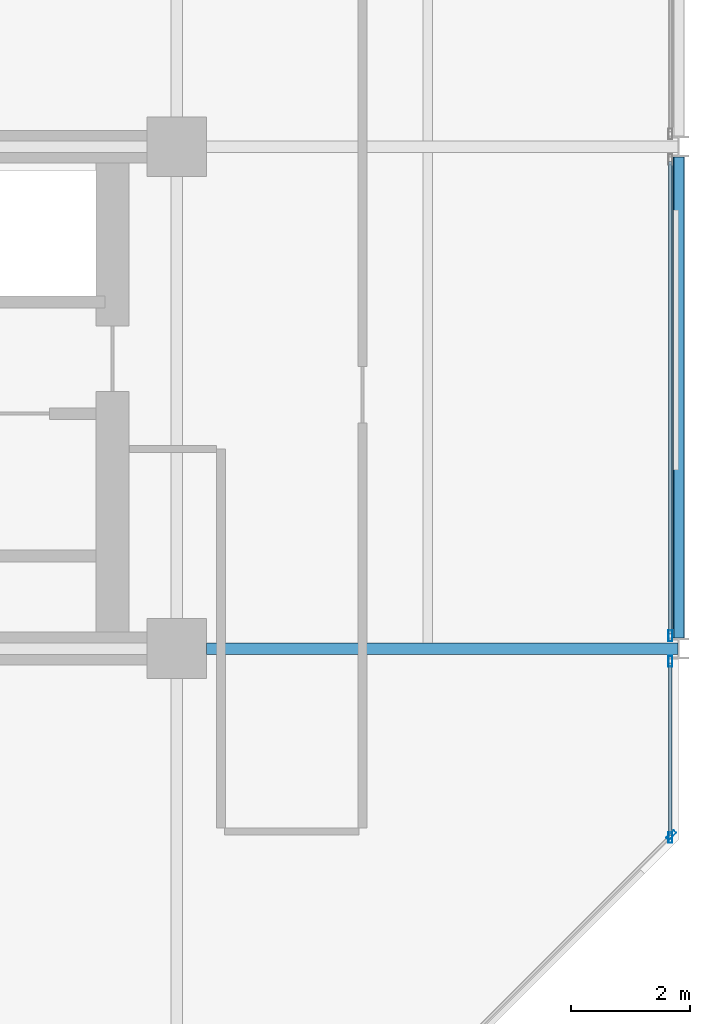
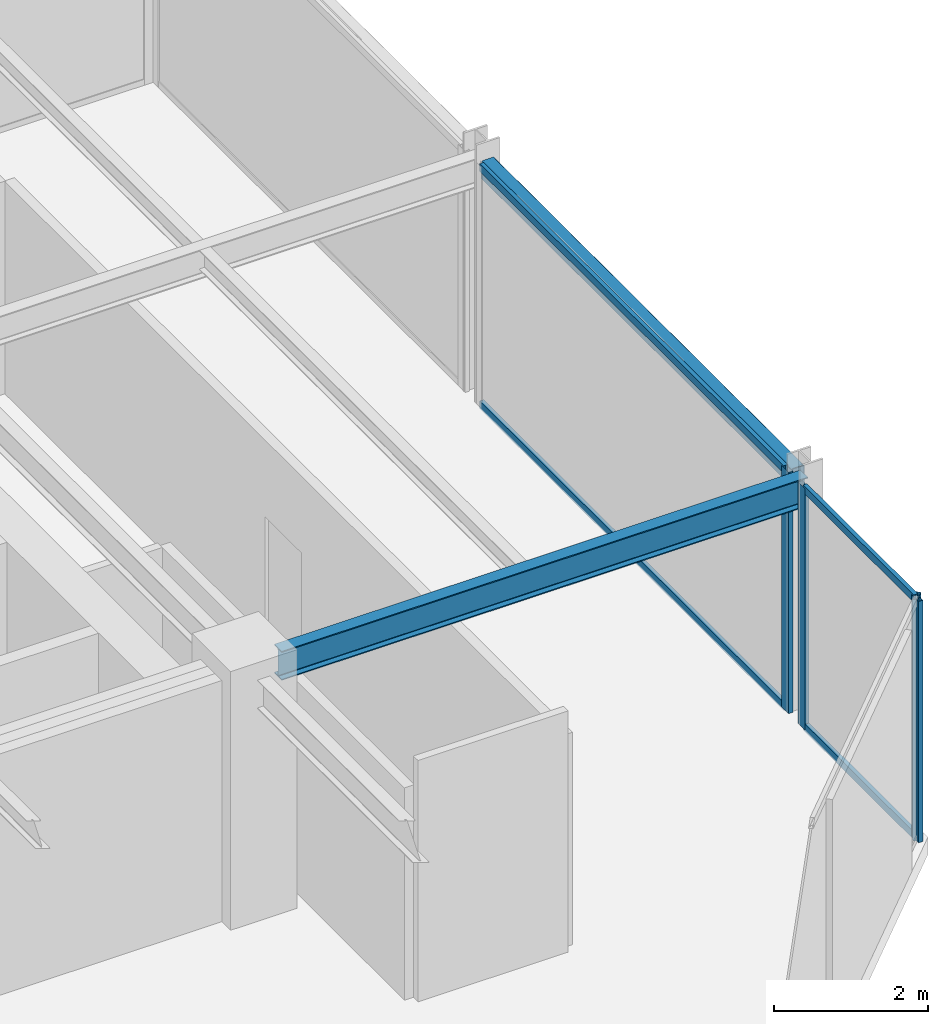
# One storey, part 13 of 29: 8 members, 2 beams, 3 elements without a shape of their own.
"""IFC4 building model written with IfcOpenShell, lengths in metres."""

import ifcopenshell
import ifcopenshell.guid

model = None  # the IFC model being written
_history = None  # IfcOwnerHistory: only IFC2X3 demands one
_inside = {}  # id of a spatial element -> (the spatial element, [elements in it])
_under = {}  # id of a project, library or spatial element -> (it, [spatial elements below it])
_declared = {}  # id of a project -> (the project, [libraries it declares])
_typed = {}  # id of a type object -> (the type object, [elements of that type])
_made_of = {}  # id of a material, layer set ... -> (it, [elements and type objects made of it])


def new_model(schema):
    """Start an empty IFC model of exactly this schema.

    Asked for "IFC4X3", IfcOpenShell would pick the latest addendum, in which some entities
    have other attributes; the version numbers below select the first issue.
    IFC2X3 requires an IfcOwnerHistory on every rooted entity: one is made here for all.
    """
    global model, _history
    if schema == "IFC4X3":
        model = ifcopenshell.file(schema_version=(4, 3, 0, 0))
    else:
        model = ifcopenshell.file(schema=schema)
    _inside.clear()
    _under.clear()
    _declared.clear()
    _typed.clear()
    _made_of.clear()
    _history = None
    if model.schema == "IFC2X3":
        org = make("IfcOrganization", Name="unknown")
        user = make(
            "IfcPersonAndOrganization",
            ThePerson=make("IfcPerson", FamilyName="unknown"),
            TheOrganization=org,
        )
        app = make(
            "IfcApplication",
            ApplicationDeveloper=org,
            Version="unknown",
            ApplicationFullName="unknown",
            ApplicationIdentifier="unknown",
        )
        _history = make(
            "IfcOwnerHistory",
            OwningUser=user,
            OwningApplication=app,
            ChangeAction="ADDED",
            CreationDate=0,
        )
    return model


def make(cls, **values):
    """One entity of the class cls with the attributes given. An attribute that is None is left unset."""
    return model.create_entity(
        cls, **{name: value for name, value in values.items() if value is not None}
    )


def rooted(cls, **values):
    """An entity with a GlobalId (a new one), such as an element, a storey or a relation."""
    return make(cls, GlobalId=ifcopenshell.guid.new(), OwnerHistory=_history, **values)


def si_unit(unit_type, name, prefix=None):
    """IfcSIUnit, for example si_unit("LENGTHUNIT", "METRE", prefix="MILLI")."""
    return make("IfcSIUnit", UnitType=unit_type, Prefix=prefix, Name=name)


def assignment(units):
    """IfcUnitAssignment: the units of a project."""
    return None if units is None else make("IfcUnitAssignment", Units=units)


def point(xyz):
    """IfcCartesianPoint."""
    return None if xyz is None else make("IfcCartesianPoint", Coordinates=xyz)


def direction(xyz):
    """IfcDirection."""
    return None if xyz is None else make("IfcDirection", DirectionRatios=xyz)


def frame(location, z_axis=None, x_axis=None):
    """IfcAxis2Placement3D, a coordinate frame: its origin and axes. An axis left out is left unset."""
    return make(
        "IfcAxis2Placement3D",
        Location=point(location),
        Axis=direction(z_axis),
        RefDirection=direction(x_axis),
    )


def frame_2d(location, x_axis=None):
    """IfcAxis2Placement2D, a coordinate frame in the plane: its origin and x axis."""
    return make(
        "IfcAxis2Placement2D", Location=point(location), RefDirection=direction(x_axis)
    )


def origin():
    """The frame at (0, 0, 0) with its axes left unset."""
    return frame((0.0, 0.0, 0.0))


def origin_2d():
    """The frame at (0, 0) in the plane with its x axis left unset."""
    return frame_2d((0.0, 0.0))


def place(relative_to, where):
    """IfcLocalPlacement: puts the frame where relative to a parent placement (None: the world)."""
    return make(
        "IfcLocalPlacement", PlacementRelTo=relative_to, RelativePlacement=where
    )


def context(
    kind, dimensions, precision=None, world=None, true_north=None, identifier=None
):
    """IfcGeometricRepresentationContext, for example the 3D "Model" context."""
    return make(
        "IfcGeometricRepresentationContext",
        ContextIdentifier=identifier,
        ContextType=kind,
        CoordinateSpaceDimension=dimensions,
        Precision=precision,
        WorldCoordinateSystem=world,
        TrueNorth=true_north,
    )


def subcontext(parent, identifier, kind, view, scale=None):
    """IfcGeometricRepresentationSubContext, for example "Body" below "Model"."""
    return make(
        "IfcGeometricRepresentationSubContext",
        ContextIdentifier=identifier,
        ContextType=kind,
        ParentContext=parent,
        TargetScale=scale,
        TargetView=view,
    )


def project(units=None, contexts=None):
    """IfcProject with its units and contexts."""
    return rooted(
        "IfcProject",
        Name="project",
        RepresentationContexts=contexts,
        UnitsInContext=assignment(units),
    )


def spatial(cls, under=None, at=None, **own):
    """A site, building, storey or space (cls), placed at a placement, below another one or the project."""
    s = rooted(cls, ObjectPlacement=at, **own)
    if under is not None:
        _under.setdefault(under.id(), (under, []))[1].append(s)
    return s


def profile(cls, at=None, kind="AREA", **sizes):
    """A parametric profile (cls). Its sizes go by their IFC names, for example OverallWidth=200.0."""
    return make(cls, ProfileType=kind, Position=at, **sizes)


def hollow_rectangle(**sizes):
    """IfcRectangleHollowProfileDef."""
    return profile("IfcRectangleHollowProfileDef", **sizes)


def i_section(**sizes):
    """IfcIShapeProfileDef."""
    return profile("IfcIShapeProfileDef", **sizes)


def extrude(swept, where, along, depth):
    """IfcExtrudedAreaSolid: the profile swept, set in the frame where, extruded along a direction by depth."""
    return make(
        "IfcExtrudedAreaSolid",
        SweptArea=swept,
        Position=where,
        ExtrudedDirection=direction(along),
        Depth=depth,
    )


def shape(context_of_items, identifier, shape_type, items):
    """IfcShapeRepresentation: the items that make up one representation, for example the "Body"."""
    return make(
        "IfcShapeRepresentation",
        ContextOfItems=context_of_items,
        RepresentationIdentifier=identifier,
        RepresentationType=shape_type,
        Items=items,
    )


def material(Name=None, Category=None):
    """IfcMaterial."""
    return make("IfcMaterial", Name=Name, Category=Category)


def layer(
    of_material, thickness, ventilated=None, Name=None, Category=None, Priority=None
):
    """IfcMaterialLayer: one layer of a wall or slab, of a material (None: an air gap)."""
    return make(
        "IfcMaterialLayer",
        Material=of_material,
        LayerThickness=thickness,
        IsVentilated=ventilated,
        Name=Name,
        Category=Category,
        Priority=Priority,
    )


def layer_set(layers, Name=None):
    """IfcMaterialLayerSet."""
    return make("IfcMaterialLayerSet", MaterialLayers=layers, LayerSetName=Name)


def material_profile(
    of_material, cross_section, Name=None, Category=None, Priority=None
):
    """IfcMaterialProfile: a cross section and its material."""
    return make(
        "IfcMaterialProfile",
        Name=Name,
        Material=of_material,
        Profile=cross_section,
        Priority=Priority,
        Category=Category,
    )


def profile_set(profiles, Name=None, composite=None):
    """IfcMaterialProfileSet."""
    return make(
        "IfcMaterialProfileSet",
        Name=Name,
        MaterialProfiles=profiles,
        CompositeProfile=composite,
    )


def made_of(thing, what):
    """Note that an element or type object is made of a material, layer set ...; save() writes the relation."""
    if what is not None:
        _made_of.setdefault(what.id(), (what, []))[1].append(thing)
    return thing


def type_object(cls, material=None, **own):
    """A type object (cls), such as IfcWallType, which elements share."""
    return made_of(rooted(cls, **own), material)


def element(
    cls,
    number,
    at=None,
    inside=None,
    cuts=None,
    type_object=None,
    material=None,
    context=None,
    identifier="Body",
    shape_type=None,
    held_by="IfcProductDefinitionShape",
    body=None,
    shapes=None,
    **own,
):
    """One element of the class cls, such as IfcWall. Its Tag is "e" and its number.

    at: its placement. inside: the storey or other place that contains it. cuts: it is an
    opening in that element (IfcRelVoidsElement). A single representation is given by context,
    identifier, shape_type and body (its items); several are given by shapes. held_by: the class
    of the entity that holds the representations. save() writes the other relations.
    """
    e = rooted(cls, Tag="e%d" % number, ObjectPlacement=at, **own)
    if body is not None:
        shapes = [shape(context, identifier, shape_type, body)]
    if shapes is not None:
        e.Representation = make(held_by, Representations=shapes)
    if inside is not None:
        _inside.setdefault(inside.id(), (inside, []))[1].append(e)
    if cuts is not None:
        rooted(
            "IfcRelVoidsElement", RelatingBuildingElement=cuts, RelatedOpeningElement=e
        )
    if type_object is not None:
        _typed.setdefault(type_object.id(), (type_object, []))[1].append(e)
    return made_of(e, material)


def aggregate(whole, parts):
    """IfcRelAggregates: a whole, such as a stair, and the parts it consists of."""
    return rooted("IfcRelAggregates", RelatingObject=whole, RelatedObjects=parts)


def save(model, path):
    """Write the relations noted so far, then the file.

    IfcRelAggregates (storeys below a building ...), IfcRelContainedInSpatialStructure (elements
    in a storey), IfcRelDefinesByType, IfcRelAssociatesMaterial and IfcRelDeclares: one each for
    every whole, place, type object, material and project.
    """
    for whole, parts in _under.values():
        aggregate(whole, parts)
    for where, things in _inside.values():
        rooted(
            "IfcRelContainedInSpatialStructure",
            RelatedElements=things,
            RelatingStructure=where,
        )
    for kind, things in _typed.values():
        rooted("IfcRelDefinesByType", RelatedObjects=things, RelatingType=kind)
    for what, things in _made_of.values():
        rooted("IfcRelAssociatesMaterial", RelatedObjects=things, RelatingMaterial=what)
    for by, libraries in _declared.values():
        rooted("IfcRelDeclares", RelatingContext=by, RelatedDefinitions=libraries)
    model.write(path)


model = new_model("IFC4")

# Units and contexts
model_context = context("Model", 3, precision=1e-05, world=origin(), true_north=direction((0.0, 1.0)))
body_context = subcontext(model_context, "Body", "Model", "MODEL_VIEW")
ifc_project = project(units=[si_unit("LENGTHUNIT", "METRE"), si_unit("AREAUNIT", "SQUARE_METRE"), si_unit("VOLUMEUNIT", "CUBIC_METRE"), si_unit("PLANEANGLEUNIT", "RADIAN"), si_unit("MASSUNIT", "GRAM", prefix="KILO")], contexts=[model_context])

# Site, building, storey
site_placement = place(None, origin())
site = spatial("IfcSite", under=ifc_project, at=site_placement, CompositionType="ELEMENT")
building_placement = place(site_placement, origin())
building = spatial("IfcBuilding", under=site, at=building_placement, Name="Nerrivon Quay Data Exchange", CompositionType="ELEMENT")
storey_placement = place(building_placement, frame((0.0, 0.0, 187.800048828125)))
storey = spatial("IfcBuildingStorey", under=building, at=storey_placement, Name="L44", CompositionType="ELEMENT", Elevation=187.800048828125)

# Beams
ifc_material_1 = material(Name="Steel Grade 350", Category="steel")
ifc_material_profile_1 = material_profile(ifc_material_1, i_section(OverallWidth=0.19091796875, OverallDepth=0.4599609375, WebThickness=0.010009765625, FlangeThickness=0.01611328125, FilletRadius=0.011474609375, at=origin_2d()), Name="460UB82.1")
ifc_profile_set_1 = profile_set([ifc_material_profile_1], Name="Steel Grade 350")
beam_type_1 = type_object("IfcBeamType", Name="BM-G5-460UB82", PredefinedType="BEAM", material=ifc_profile_set_1)
beam_1_placement = place(storey_placement, frame((34.10009765625, 8.39990234375, 3.594970703125), z_axis=(1.0, 0.0, 0.0), x_axis=(0.0, 1.0, 0.0)))
element("IfcBeam", 1, at=beam_1_placement, inside=storey, type_object=beam_type_1, Name="L44 EW Girder Y=8.4 (33.6..42.0)", PredefinedType="BEAM", context=body_context, shape_type="SweptSolid", body=[
    extrude(i_section(OverallWidth=0.19091796875, OverallDepth=0.4599609375, WebThickness=0.010009765625, FlangeThickness=0.01611328125, FilletRadius=0.011474609375, at=origin_2d()), origin(), (0.0, 0.0, 1.0), 7.889892578125),
])
ifc_material_2 = material(Name="Steel Grade C350L0 (350 MPa)", Category="steel")
ifc_material_profile_2 = material_profile(ifc_material_2, hollow_rectangle(XDim=0.199951171875, YDim=0.300048828125, WallThickness=0.012451171875, InnerFilletRadius=0.018798828125, OuterFilletRadius=0.03125, at=origin_2d()), Name="300x200x12.5RHS")
ifc_profile_set_2 = profile_set([ifc_material_profile_2], Name="Steel Grade C350L0 (350 MPa)")
beam_type_2 = type_object("IfcBeamType", Name="BM-SP3-300x200RHS", PredefinedType="SPANDREL", material=ifc_profile_set_2)
beam_2_placement = place(storey_placement, frame((42.0, 8.574951171875, 3.675048828125), z_axis=(0.0, 1.0, 0.0), x_axis=(-1.0, 0.0, 0.0)))
element("IfcBeam", 2, at=beam_2_placement, inside=storey, type_object=beam_type_2, Name="L44 NS Girder X=42.0 (8.4..16.8)", PredefinedType="SPANDREL", context=body_context, shape_type="SweptSolid", body=[
    extrude(hollow_rectangle(XDim=0.199951171875, YDim=0.300048828125, WallThickness=0.012451171875, InnerFilletRadius=0.018798828125, OuterFilletRadius=0.03125, at=origin_2d()), origin(), (0.0, 0.0, 1.0), 8.050048828125),
])

# Curtain wall, member
ifc_material_3 = material(Name="Anodised aluminium 6063-T6", Category="aluminium")
ifc_layer = layer(ifc_material_3, 0.195068359375)
ifc_layer_set = layer_set([ifc_layer], Name="Anodised aluminium 6063-T6")
curtain_wall_type = type_object("IfcCurtainWallType", Name="CW-SYS-06", PredefinedType="NOTDEFINED", material=ifc_layer_set)
curtain_wall_1_placement = place(storey_placement, origin())
curtain_wall_1 = element("IfcCurtainWall", 3, at=curtain_wall_1_placement, inside=storey, type_object=curtain_wall_type, Name="L44 Unitised Curtain Wall 19", PredefinedType="NOTDEFINED")
ifc_material_profile_3 = material_profile(ifc_material_3, hollow_rectangle(XDim=0.06494140625, YDim=0.179931640625, WallThickness=0.00341796875, at=origin_2d()), Name="ALU-MULL-180x65")
ifc_profile_set_3 = profile_set([ifc_material_profile_3], Name="Anodised aluminium 6063-T6")
member_type_1 = type_object("IfcMemberType", Name="CWM-180x65", PredefinedType="MULLION", material=ifc_profile_set_3)
member_1_placement = place(storey_placement, frame((41.860107421875, 8.612548828125, 0.0), z_axis=(0.0, 0.0, 1.0), x_axis=(1.0, 0.0, 0.0)))
member_1 = element("IfcMember", 4, at=member_1_placement, type_object=member_type_1, Name="CW06 mullion 2", PredefinedType="MULLION", context=body_context, shape_type="SweptSolid", body=[
    extrude(hollow_rectangle(XDim=0.06494140625, YDim=0.179931640625, WallThickness=0.00341796875, at=origin_2d()), origin(), (0.0, 0.0, 1.0), 3.824951171875),
])

# Curtain wall, members
curtain_wall_2_placement = place(storey_placement, origin())
curtain_wall_2 = element("IfcCurtainWall", 5, at=curtain_wall_2_placement, inside=storey, type_object=curtain_wall_type, Name="L44 Unitised Curtain Wall 20", PredefinedType="NOTDEFINED")
member_2_placement = place(storey_placement, frame((41.860107421875, 8.1875, 0.0), z_axis=(0.0, 0.0, 1.0), x_axis=(1.0, 0.0, 0.0)))
member_2 = element("IfcMember", 6, at=member_2_placement, type_object=member_type_1, Name="CW06 mullion 1", PredefinedType="MULLION", context=body_context, shape_type="SweptSolid", body=[
    extrude(hollow_rectangle(XDim=0.06494140625, YDim=0.179931640625, WallThickness=0.00341796875, at=origin_2d()), origin(), (0.0, 0.0, 1.0), 3.824951171875),
])
member_3_placement = place(storey_placement, frame((41.860107421875, 5.237548828125, 0.0), z_axis=(0.0, 0.0, 1.0), x_axis=(1.0, 0.0, 0.0)))
member_3 = element("IfcMember", 7, at=member_3_placement, type_object=member_type_1, Name="CW06 mullion 2", PredefinedType="MULLION", context=body_context, shape_type="SweptSolid", body=[
    extrude(hollow_rectangle(XDim=0.06494140625, YDim=0.179931640625, WallThickness=0.00341796875, at=origin_2d()), origin(), (0.0, 0.0, 1.0), 3.824951171875),
])

# Curtain wall, member
curtain_wall_3_placement = place(storey_placement, origin())
curtain_wall_3 = element("IfcCurtainWall", 8, at=curtain_wall_3_placement, inside=storey, type_object=curtain_wall_type, Name="L44 Unitised Curtain Wall 21", PredefinedType="NOTDEFINED")
member_4_placement = place(storey_placement, frame((41.87451171875, 5.2724609375, 0.0), z_axis=(0.0, 0.0, 1.0), x_axis=(0.707106781187, -0.707106781187, 0.0)))
member_4 = element("IfcMember", 9, at=member_4_placement, type_object=member_type_1, Name="CW06 mullion 1", PredefinedType="MULLION", context=body_context, shape_type="SweptSolid", body=[
    extrude(hollow_rectangle(XDim=0.06494140625, YDim=0.179931640625, WallThickness=0.00341796875, at=origin_2d()), origin(), (0.0, 0.0, 1.0), 3.824951171875),
])
aggregate(curtain_wall_3, [member_4])

# Member
ifc_material_profile_4 = material_profile(ifc_material_3, hollow_rectangle(XDim=0.06005859375, YDim=0.1201171875, WallThickness=0.003173828125, at=origin_2d()), Name="ALU-TRAN-120x60")
ifc_profile_set_4 = profile_set([ifc_material_profile_4], Name="Anodised aluminium 6063-T6")
member_type_2 = type_object("IfcMemberType", Name="CWT-120x60", PredefinedType="USERDEFINED", material=ifc_profile_set_4)
member_5_placement = place(storey_placement, frame((41.860107421875, 16.550048828125, 0.032470703125), z_axis=(0.0, -1.0, 0.0), x_axis=(1.0, 0.0, 0.0)))
member_5 = element("IfcMember", 10, at=member_5_placement, type_object=member_type_2, Name="CW06 transom 1.1", ObjectType="TRANSOM", PredefinedType="USERDEFINED", context=body_context, shape_type="SweptSolid", body=[
    extrude(hollow_rectangle(XDim=0.06005859375, YDim=0.1201171875, WallThickness=0.003173828125, at=origin_2d()), origin(), (0.0, 0.0, 1.0), 7.900146484375),
])

member_6_placement = place(storey_placement, frame((41.860107421875, 16.550048828125, 3.79248046875), z_axis=(0.0, -1.0, 0.0), x_axis=(1.0, 0.0, 0.0)))
member_6 = element("IfcMember", 11, at=member_6_placement, type_object=member_type_2, Name="CW06 transom 1.2", ObjectType="TRANSOM", PredefinedType="USERDEFINED", context=body_context, shape_type="SweptSolid", body=[
    extrude(hollow_rectangle(XDim=0.06005859375, YDim=0.1201171875, WallThickness=0.003173828125, at=origin_2d()), origin(), (0.0, 0.0, 1.0), 7.900146484375),
])

aggregate(curtain_wall_1, [member_1, member_5, member_6])

member_7_placement = place(storey_placement, frame((41.860107421875, 8.14990234375, 0.032470703125), z_axis=(0.0, -1.0, 0.0), x_axis=(1.0, 0.0, 0.0)))
member_7 = element("IfcMember", 12, at=member_7_placement, type_object=member_type_2, Name="CW06 transom 1.1", ObjectType="TRANSOM", PredefinedType="USERDEFINED", context=body_context, shape_type="SweptSolid", body=[
    extrude(hollow_rectangle(XDim=0.06005859375, YDim=0.1201171875, WallThickness=0.003173828125, at=origin_2d()), origin(), (0.0, 0.0, 1.0), 2.875),
])

member_8_placement = place(storey_placement, frame((41.860107421875, 8.14990234375, 3.79248046875), z_axis=(0.0, -1.0, 0.0), x_axis=(1.0, 0.0, 0.0)))
member_8 = element("IfcMember", 13, at=member_8_placement, type_object=member_type_2, Name="CW06 transom 1.2", ObjectType="TRANSOM", PredefinedType="USERDEFINED", context=body_context, shape_type="SweptSolid", body=[
    extrude(hollow_rectangle(XDim=0.06005859375, YDim=0.1201171875, WallThickness=0.003173828125, at=origin_2d()), origin(), (0.0, 0.0, 1.0), 2.875),
])

aggregate(curtain_wall_2, [member_2, member_3, member_7, member_8])

save(model, "model.ifc")
